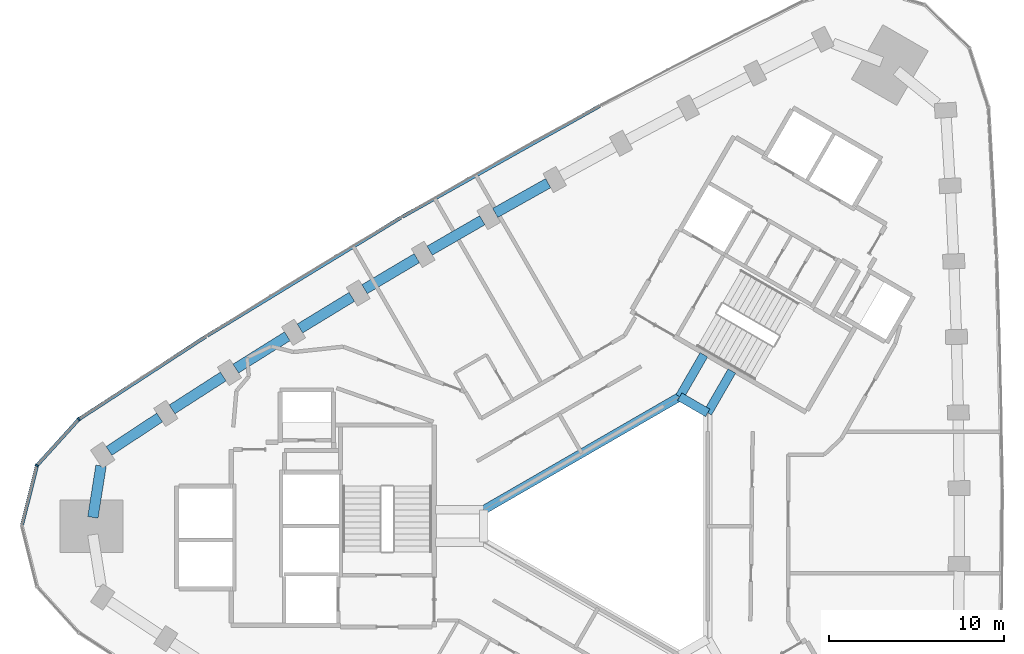
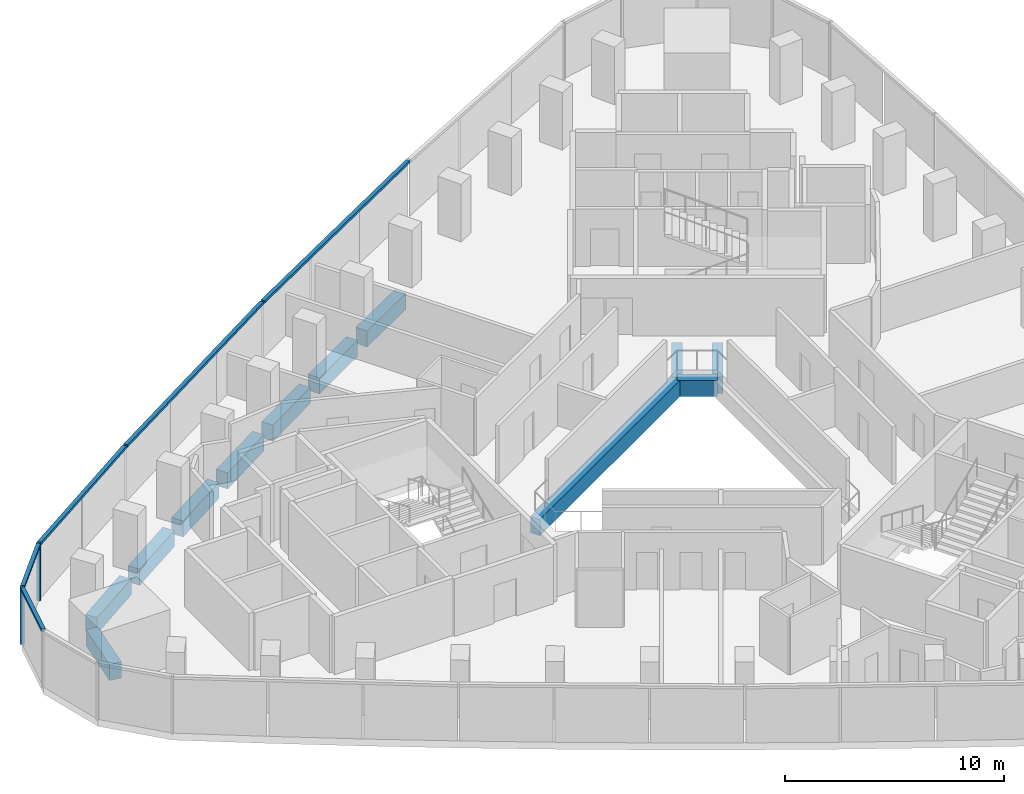
# One storey, part 4 of 12: 12 beams, 7 members, 1 element without a shape of its own.
"""IFC4 building model written with IfcOpenShell, lengths in metres."""

import ifcopenshell
import ifcopenshell.guid

model = None  # the IFC model being written
_history = None  # IfcOwnerHistory: only IFC2X3 demands one
_inside = {}  # id of a spatial element -> (the spatial element, [elements in it])
_under = {}  # id of a project, library or spatial element -> (it, [spatial elements below it])
_declared = {}  # id of a project -> (the project, [libraries it declares])
_typed = {}  # id of a type object -> (the type object, [elements of that type])
_made_of = {}  # id of a material, layer set ... -> (it, [elements and type objects made of it])


def new_model(schema):
    """Start an empty IFC model of exactly this schema.

    Asked for "IFC4X3", IfcOpenShell would pick the latest addendum, in which some entities
    have other attributes; the version numbers below select the first issue.
    IFC2X3 requires an IfcOwnerHistory on every rooted entity: one is made here for all.
    """
    global model, _history
    if schema == "IFC4X3":
        model = ifcopenshell.file(schema_version=(4, 3, 0, 0))
    else:
        model = ifcopenshell.file(schema=schema)
    _inside.clear()
    _under.clear()
    _declared.clear()
    _typed.clear()
    _made_of.clear()
    _history = None
    if model.schema == "IFC2X3":
        org = make("IfcOrganization", Name="unknown")
        user = make(
            "IfcPersonAndOrganization",
            ThePerson=make("IfcPerson", FamilyName="unknown"),
            TheOrganization=org,
        )
        app = make(
            "IfcApplication",
            ApplicationDeveloper=org,
            Version="unknown",
            ApplicationFullName="unknown",
            ApplicationIdentifier="unknown",
        )
        _history = make(
            "IfcOwnerHistory",
            OwningUser=user,
            OwningApplication=app,
            ChangeAction="ADDED",
            CreationDate=0,
        )
    return model


def make(cls, **values):
    """One entity of the class cls with the attributes given. An attribute that is None is left unset."""
    return model.create_entity(
        cls, **{name: value for name, value in values.items() if value is not None}
    )


def rooted(cls, **values):
    """An entity with a GlobalId (a new one), such as an element, a storey or a relation."""
    return make(cls, GlobalId=ifcopenshell.guid.new(), OwnerHistory=_history, **values)


def si_unit(unit_type, name, prefix=None):
    """IfcSIUnit, for example si_unit("LENGTHUNIT", "METRE", prefix="MILLI")."""
    return make("IfcSIUnit", UnitType=unit_type, Prefix=prefix, Name=name)


def assignment(units):
    """IfcUnitAssignment: the units of a project."""
    return None if units is None else make("IfcUnitAssignment", Units=units)


def point(xyz):
    """IfcCartesianPoint."""
    return None if xyz is None else make("IfcCartesianPoint", Coordinates=xyz)


def direction(xyz):
    """IfcDirection."""
    return None if xyz is None else make("IfcDirection", DirectionRatios=xyz)


def frame(location, z_axis=None, x_axis=None):
    """IfcAxis2Placement3D, a coordinate frame: its origin and axes. An axis left out is left unset."""
    return make(
        "IfcAxis2Placement3D",
        Location=point(location),
        Axis=direction(z_axis),
        RefDirection=direction(x_axis),
    )


def frame_2d(location, x_axis=None):
    """IfcAxis2Placement2D, a coordinate frame in the plane: its origin and x axis."""
    return make(
        "IfcAxis2Placement2D", Location=point(location), RefDirection=direction(x_axis)
    )


def origin():
    """The frame at (0, 0, 0) with its axes left unset."""
    return frame((0.0, 0.0, 0.0))


def origin_2d():
    """The frame at (0, 0) in the plane with its x axis left unset."""
    return frame_2d((0.0, 0.0))


def place(relative_to, where):
    """IfcLocalPlacement: puts the frame where relative to a parent placement (None: the world)."""
    return make(
        "IfcLocalPlacement", PlacementRelTo=relative_to, RelativePlacement=where
    )


def context(
    kind, dimensions, precision=None, world=None, true_north=None, identifier=None
):
    """IfcGeometricRepresentationContext, for example the 3D "Model" context."""
    return make(
        "IfcGeometricRepresentationContext",
        ContextIdentifier=identifier,
        ContextType=kind,
        CoordinateSpaceDimension=dimensions,
        Precision=precision,
        WorldCoordinateSystem=world,
        TrueNorth=true_north,
    )


def subcontext(parent, identifier, kind, view, scale=None):
    """IfcGeometricRepresentationSubContext, for example "Body" below "Model"."""
    return make(
        "IfcGeometricRepresentationSubContext",
        ContextIdentifier=identifier,
        ContextType=kind,
        ParentContext=parent,
        TargetScale=scale,
        TargetView=view,
    )


def project(units=None, contexts=None):
    """IfcProject with its units and contexts."""
    return rooted(
        "IfcProject",
        Name="project",
        RepresentationContexts=contexts,
        UnitsInContext=assignment(units),
    )


def spatial(cls, under=None, at=None, **own):
    """A site, building, storey or space (cls), placed at a placement, below another one or the project."""
    s = rooted(cls, ObjectPlacement=at, **own)
    if under is not None:
        _under.setdefault(under.id(), (under, []))[1].append(s)
    return s


def profile(cls, at=None, kind="AREA", **sizes):
    """A parametric profile (cls). Its sizes go by their IFC names, for example OverallWidth=200.0."""
    return make(cls, ProfileType=kind, Position=at, **sizes)


def rectangle(**sizes):
    """IfcRectangleProfileDef."""
    return profile("IfcRectangleProfileDef", **sizes)


def extrude(swept, where, along, depth):
    """IfcExtrudedAreaSolid: the profile swept, set in the frame where, extruded along a direction by depth."""
    return make(
        "IfcExtrudedAreaSolid",
        SweptArea=swept,
        Position=where,
        ExtrudedDirection=direction(along),
        Depth=depth,
    )


def shape(context_of_items, identifier, shape_type, items):
    """IfcShapeRepresentation: the items that make up one representation, for example the "Body"."""
    return make(
        "IfcShapeRepresentation",
        ContextOfItems=context_of_items,
        RepresentationIdentifier=identifier,
        RepresentationType=shape_type,
        Items=items,
    )


def material(Name=None, Category=None):
    """IfcMaterial."""
    return make("IfcMaterial", Name=Name, Category=Category)


def material_profile(
    of_material, cross_section, Name=None, Category=None, Priority=None
):
    """IfcMaterialProfile: a cross section and its material."""
    return make(
        "IfcMaterialProfile",
        Name=Name,
        Material=of_material,
        Profile=cross_section,
        Priority=Priority,
        Category=Category,
    )


def profile_set(profiles, Name=None, composite=None):
    """IfcMaterialProfileSet."""
    return make(
        "IfcMaterialProfileSet",
        Name=Name,
        MaterialProfiles=profiles,
        CompositeProfile=composite,
    )


def made_of(thing, what):
    """Note that an element or type object is made of a material, layer set ...; save() writes the relation."""
    if what is not None:
        _made_of.setdefault(what.id(), (what, []))[1].append(thing)
    return thing


def type_object(cls, material=None, **own):
    """A type object (cls), such as IfcWallType, which elements share."""
    return made_of(rooted(cls, **own), material)


def element(
    cls,
    number,
    at=None,
    inside=None,
    cuts=None,
    type_object=None,
    material=None,
    context=None,
    identifier="Body",
    shape_type=None,
    held_by="IfcProductDefinitionShape",
    body=None,
    shapes=None,
    **own,
):
    """One element of the class cls, such as IfcWall. Its Tag is "e" and its number.

    at: its placement. inside: the storey or other place that contains it. cuts: it is an
    opening in that element (IfcRelVoidsElement). A single representation is given by context,
    identifier, shape_type and body (its items); several are given by shapes. held_by: the class
    of the entity that holds the representations. save() writes the other relations.
    """
    e = rooted(cls, Tag="e%d" % number, ObjectPlacement=at, **own)
    if body is not None:
        shapes = [shape(context, identifier, shape_type, body)]
    if shapes is not None:
        e.Representation = make(held_by, Representations=shapes)
    if inside is not None:
        _inside.setdefault(inside.id(), (inside, []))[1].append(e)
    if cuts is not None:
        rooted(
            "IfcRelVoidsElement", RelatingBuildingElement=cuts, RelatedOpeningElement=e
        )
    if type_object is not None:
        _typed.setdefault(type_object.id(), (type_object, []))[1].append(e)
    return made_of(e, material)


def aggregate(whole, parts):
    """IfcRelAggregates: a whole, such as a stair, and the parts it consists of."""
    return rooted("IfcRelAggregates", RelatingObject=whole, RelatedObjects=parts)


def save(model, path):
    """Write the relations noted so far, then the file.

    IfcRelAggregates (storeys below a building ...), IfcRelContainedInSpatialStructure (elements
    in a storey), IfcRelDefinesByType, IfcRelAssociatesMaterial and IfcRelDeclares: one each for
    every whole, place, type object, material and project.
    """
    for whole, parts in _under.values():
        aggregate(whole, parts)
    for where, things in _inside.values():
        rooted(
            "IfcRelContainedInSpatialStructure",
            RelatedElements=things,
            RelatingStructure=where,
        )
    for kind, things in _typed.values():
        rooted("IfcRelDefinesByType", RelatedObjects=things, RelatingType=kind)
    for what, things in _made_of.values():
        rooted("IfcRelAssociatesMaterial", RelatedObjects=things, RelatingMaterial=what)
    for by, libraries in _declared.values():
        rooted("IfcRelDeclares", RelatingContext=by, RelatedDefinitions=libraries)
    model.write(path)


model = new_model("IFC4")

# Units and contexts
model_context = context("Model", 3, precision=1e-05, world=origin(), true_north=direction((0.0, 1.0)))
body_context = subcontext(model_context, "Body", "Model", "MODEL_VIEW")
ifc_project = project(units=[si_unit("LENGTHUNIT", "METRE"), si_unit("AREAUNIT", "SQUARE_METRE"), si_unit("VOLUMEUNIT", "CUBIC_METRE"), si_unit("PLANEANGLEUNIT", "RADIAN"), si_unit("MASSUNIT", "GRAM", prefix="KILO")], contexts=[model_context])

# Site, building, storey
site_placement = place(None, origin())
site = spatial("IfcSite", under=ifc_project, at=site_placement, CompositionType="ELEMENT")
building_placement = place(site_placement, origin())
building = spatial("IfcBuilding", under=site, at=building_placement, Name="Tamra Quay Hotel Tower", CompositionType="ELEMENT")
storey_placement = place(building_placement, frame((0.0, 0.0, 143.199951171875)))
storey = spatial("IfcBuildingStorey", under=building, at=storey_placement, Name="L35", CompositionType="ELEMENT", Elevation=143.199951171875)

# Beams
ifc_material_1 = material(Name="Concrete M60", Category="concrete")
ifc_material_profile_1 = material_profile(ifc_material_1, rectangle(XDim=0.5, YDim=0.89990234375, at=origin_2d()), Name="ATRIUM EDGE BEAM RC 500x900")
ifc_profile_set_1 = profile_set([ifc_material_profile_1], Name="Concrete M60")
beam_type_1 = type_object("IfcBeamType", Name="ATRIUM EDGE BEAM RC 500x900", PredefinedType="BEAM", material=ifc_profile_set_1)
beam_1_placement = place(storey_placement, frame((-8.0, 0.923828125, -0.849853515625), z_axis=(0.866024942741, 0.500000798549, 0.0), x_axis=(-0.500000798549, 0.866024942741, 0.0)))
element("IfcBeam", 1, at=beam_1_placement, inside=storey, type_object=beam_type_1, Name="BM-AB4-L35", PredefinedType="BEAM", context=body_context, shape_type="SweptSolid", body=[
    extrude(rectangle(XDim=0.5, YDim=0.89990234375, at=origin_2d()), origin(), (0.0, 0.0, 1.0), 12.9326171875),
])
beam_2_placement = place(storey_placement, frame((3.199951171875, 7.39013671875, -0.849853515625), z_axis=(0.86602275259, -0.500004591975, 0.0), x_axis=(0.500004591975, 0.86602275259, 0.0)))
element("IfcBeam", 2, at=beam_2_placement, inside=storey, type_object=beam_type_1, Name="BM-AB5-L35", PredefinedType="BEAM", context=body_context, shape_type="SweptSolid", body=[
    extrude(rectangle(XDim=0.5, YDim=0.89990234375, at=origin_2d()), origin(), (0.0, 0.0, 1.0), 1.84765625),
])
ifc_material_profile_2 = material_profile(ifc_material_1, rectangle(XDim=0.5, YDim=0.89990234375, at=origin_2d()), Name="ATRIUM TIE BEAM RC 500x900")
ifc_profile_set_2 = profile_set([ifc_material_profile_2], Name="Concrete M60")
beam_type_2 = type_object("IfcBeamType", Name="ATRIUM TIE BEAM RC 500x900", PredefinedType="BEAM", material=ifc_profile_set_2)
for number, where, z_axis, x_axis, name in (
    (3, (4.800048828125, 6.46630859375, -0.849853515625), (0.500008091576, 0.86602073206, 0.0), (-0.86602073206, 0.500008091576, 0.0), "BM-TIE-0-L35"),
    (4, (3.199951171875, 7.39013671875, -0.849853515625), (0.500008091576, 0.86602073206, 0.0), (-0.86602073206, 0.500008091576, 0.0), "BM-TIE-5-L35"),
):
    element("IfcBeam", number, at=place(storey_placement, frame(where, z_axis=z_axis, x_axis=x_axis)), inside=storey, type_object=beam_type_2, Name=name, PredefinedType="BEAM", context=body_context, shape_type="SweptSolid", body=[
        extrude(rectangle(XDim=0.5, YDim=0.89990234375, at=origin_2d()), origin(), (0.0, 0.0, 1.0), 2.76220703125),
    ])

# Curtain wall, members
ifc_material_2 = material(Name="Aluminium 6063 anodised dark grey", Category="aluminium")
curtain_wall_type = type_object("IfcCurtainWallType", Name="CW2 CURTAIN WALL", PredefinedType="NOTDEFINED", material=ifc_material_2)
curtain_wall_placement = place(storey_placement, origin())
curtain_wall = element("IfcCurtainWall", 5, at=curtain_wall_placement, inside=storey, type_object=curtain_wall_type, Name="CW2 north-west face L35", PredefinedType="NOTDEFINED")
ifc_material_profile_3 = material_profile(ifc_material_2, rectangle(XDim=0.199951171875, YDim=0.10009765625, at=origin_2d()), Name="MULLION 100X200")
ifc_profile_set_3 = profile_set([ifc_material_profile_3], Name="Aluminium 6063 anodised dark grey")
member_type_1 = type_object("IfcMemberType", Name="MULLION CW2 Z3", PredefinedType="MULLION", material=ifc_profile_set_3)
member_1_placement = place(storey_placement, frame((-31.139892578125, 6.099365234375, 0.0), z_axis=(0.0, 0.0, 1.0), x_axis=(-0.650989203966, 0.759086988638, 0.0)))
member_1 = element("IfcMember", 6, at=member_1_placement, type_object=member_type_1, Name="CW2 mullion L35.NW.12", PredefinedType="MULLION", context=body_context, shape_type="SweptSolid", body=[
    extrude(rectangle(XDim=0.199951171875, YDim=0.10009765625, at=origin_2d()), origin(), (0.0, 0.0, 1.0), 3.199951171875),
])
member_2_placement = place(storey_placement, frame((-33.533935546875, 3.4580078125, 0.0), z_axis=(0.0, 0.0, 1.0), x_axis=(-0.881925145425, 0.47138947577, 0.0)))
member_2 = element("IfcMember", 7, at=member_2_placement, type_object=member_type_1, Name="CW2 mullion L35.NW.13", PredefinedType="MULLION", context=body_context, shape_type="SweptSolid", body=[
    extrude(rectangle(XDim=0.199951171875, YDim=0.10009765625, at=origin_2d()), origin(), (0.0, 0.0, 1.0), 3.199951171875),
])

# Beams
ifc_material_profile_4 = material_profile(ifc_material_1, rectangle(XDim=0.60009765625, YDim=0.89990234375, at=origin_2d()), Name="SPANDREL BEAM RC 600x900")
ifc_profile_set_4 = profile_set([ifc_material_profile_4], Name="Concrete M60")
beam_type_3 = type_object("IfcBeamType", Name="SPANDREL BEAM RC 600x900", PredefinedType="SPANDREL", material=ifc_profile_set_4)
beam_3_placement = place(storey_placement, frame((-4.315185546875, 19.59130859375, -0.849853515625), z_axis=(-0.871956406858, -0.489583521516, 0.0), x_axis=(0.489583521516, -0.871956406858, 0.0)))
element("IfcBeam", 8, at=beam_3_placement, inside=storey, type_object=beam_type_3, Name="BM-SP3-017-L35", PredefinedType="SPANDREL", context=body_context, shape_type="SweptSolid", body=[
    extrude(rectangle(XDim=0.60009765625, YDim=0.89990234375, at=origin_2d()), origin(), (0.0, 0.0, 1.0), 3.47265625),
])
beam_4_placement = place(storey_placement, frame((-8.081787109375, 17.470458984375, -0.849853515625), z_axis=(-0.866032201241, -0.499988226275, 0.0), x_axis=(0.499988226275, -0.866032201241, 0.0)))
element("IfcBeam", 9, at=beam_4_placement, inside=storey, type_object=beam_type_3, Name="BM-SP3-018-L35", PredefinedType="SPANDREL", context=body_context, shape_type="SweptSolid", body=[
    extrude(rectangle(XDim=0.60009765625, YDim=0.89990234375, at=origin_2d()), origin(), (0.0, 0.0, 1.0), 3.47216796875),
])
beam_5_placement = place(storey_placement, frame((-11.822509765625, 15.304931640625, -0.849853515625), z_axis=(-0.859988767784, -0.510312962098, 0.0), x_axis=(0.510312962098, -0.859988767784, 0.0)))
element("IfcBeam", 10, at=beam_5_placement, inside=storey, type_object=beam_type_3, Name="BM-SP3-019-L35", PredefinedType="SPANDREL", context=body_context, shape_type="SweptSolid", body=[
    extrude(rectangle(XDim=0.60009765625, YDim=0.89990234375, at=origin_2d()), origin(), (0.0, 0.0, 1.0), 3.472900390625),
])
for number, where, z_axis, x_axis, name in (
    (11, (-15.53759765625, 13.094482421875, -0.849853515625), (-0.853835813207, -0.520542413339, 0.0), (0.520542413339, -0.853835813207, 0.0), "BM-SP3-020-L35"),
    (12, (-19.225341796875, 10.840087890625, -0.849853515625), (-0.847547681474, -0.530719255, 0.0), (0.530719255, -0.847547681474, 0.0), "BM-SP3-021-L35"),
):
    element("IfcBeam", number, at=place(storey_placement, frame(where, z_axis=z_axis, x_axis=x_axis)), inside=storey, type_object=beam_type_3, Name=name, PredefinedType="SPANDREL", context=body_context, shape_type="SweptSolid", body=[
        extrude(rectangle(XDim=0.60009765625, YDim=0.89990234375, at=origin_2d()), origin(), (0.0, 0.0, 1.0), 3.47216796875),
    ])
beam_6_placement = place(storey_placement, frame((-22.885986328125, 8.5419921875, -0.849853515625), z_axis=(-0.84116020305, -0.540786013878, 0.0), x_axis=(0.540786013878, -0.84116020305, 0.0)))
element("IfcBeam", 13, at=beam_6_placement, inside=storey, type_object=beam_type_3, Name="BM-SP3-022-L35", PredefinedType="SPANDREL", context=body_context, shape_type="SweptSolid", body=[
    extrude(rectangle(XDim=0.60009765625, YDim=0.89990234375, at=origin_2d()), origin(), (0.0, 0.0, 1.0), 3.47314453125),
])
beam_7_placement = place(storey_placement, frame((-26.51953125, 6.199951171875, -0.849853515625), z_axis=(-0.834690851507, -0.55071878705, 0.0), x_axis=(0.55071878705, -0.834690851507, 0.0)))
element("IfcBeam", 14, at=beam_7_placement, inside=storey, type_object=beam_type_3, Name="BM-SP3-023-L35", PredefinedType="SPANDREL", context=body_context, shape_type="SweptSolid", body=[
    extrude(rectangle(XDim=0.60009765625, YDim=0.89990234375, at=origin_2d()), origin(), (0.0, 0.0, 1.0), 3.472412109375),
])
beam_8_placement = place(storey_placement, frame((-29.87060546875, 3.434814453125, -0.849853515625), z_axis=(-0.156337236308, -0.987703735208, 0.0), x_axis=(0.987703735208, -0.156337236308, 0.0)))
element("IfcBeam", 15, at=beam_8_placement, inside=storey, type_object=beam_type_3, Name="BM-SP3-024-L35", PredefinedType="SPANDREL", context=body_context, shape_type="SweptSolid", body=[
    extrude(rectangle(XDim=0.60009765625, YDim=0.89990234375, at=origin_2d()), origin(), (0.0, 0.0, 1.0), 2.97802734375),
])

# Member
ifc_material_profile_5 = material_profile(ifc_material_2, rectangle(XDim=0.199951171875, YDim=0.139892578125, at=origin_2d()), Name="TRANSOM 200X140")
ifc_profile_set_5 = profile_set([ifc_material_profile_5], Name="Aluminium 6063 anodised dark grey")
member_type_2 = type_object("IfcMemberType", Name="TRANSOM CW2 Z3", PredefinedType="USERDEFINED", material=ifc_profile_set_5)
member_3_placement = place(storey_placement, frame((-1.360595703125, 24.013671875, 3.130126953125), z_axis=(-0.871941163172, -0.489610669783, 0.0), x_axis=(0.489610669783, -0.871941163172, 0.0)))
member_3 = element("IfcMember", 16, at=member_3_placement, type_object=member_type_2, Name="CW2 transom L35.NW.4", ObjectType="TRANSOM", PredefinedType="USERDEFINED", context=body_context, shape_type="SweptSolid", body=[
    extrude(rectangle(XDim=0.199951171875, YDim=0.139892578125, at=origin_2d()), origin(), (0.0, 0.0, 1.0), 12.955810546875),
])

member_4_placement = place(storey_placement, frame((-12.743408203125, 17.619873046875, 3.130126953125), z_axis=(-0.853830086981, -0.520551805843, 0.0), x_axis=(0.520551805843, -0.853830086981, 0.0)))
member_4 = element("IfcMember", 17, at=member_4_placement, type_object=member_type_2, Name="CW2 transom L35.NW.7", ObjectType="TRANSOM", PredefinedType="USERDEFINED", context=body_context, shape_type="SweptSolid", body=[
    extrude(rectangle(XDim=0.199951171875, YDim=0.139892578125, at=origin_2d()), origin(), (0.0, 0.0, 1.0), 12.955810546875),
])

member_5_placement = place(storey_placement, frame((-23.889892578125, 10.822021484375, 3.130126953125), z_axis=(-0.837927757603, -0.545781158559, 0.0), x_axis=(0.545781158559, -0.837927757603, 0.0)))
member_5 = element("IfcMember", 18, at=member_5_placement, type_object=member_type_2, Name="CW2 transom L35.NW.10", ObjectType="TRANSOM", PredefinedType="USERDEFINED", context=body_context, shape_type="SweptSolid", body=[
    extrude(rectangle(XDim=0.199951171875, YDim=0.139892578125, at=origin_2d()), origin(), (0.0, 0.0, 1.0), 8.6025390625),
])

member_6_placement = place(storey_placement, frame((-31.17333984375, 6.0625, 3.130126953125), z_axis=(-0.671553275013, -0.740956273217, 0.0), x_axis=(0.740956273217, -0.671553275013, 0.0)))
member_6 = element("IfcMember", 19, at=member_6_placement, type_object=member_type_2, Name="CW2 transom L35.NW.12", ObjectType="TRANSOM", PredefinedType="USERDEFINED", context=body_context, shape_type="SweptSolid", body=[
    extrude(rectangle(XDim=0.199951171875, YDim=0.139892578125, at=origin_2d()), origin(), (0.0, 0.0, 1.0), 3.46484375),
])

member_7_placement = place(storey_placement, frame((-33.5458984375, 3.409423828125, 3.130126953125), z_axis=(-0.243032991535, -0.970018023042, 0.0), x_axis=(0.970018023042, -0.243032991535, 0.0)))
member_7 = element("IfcMember", 20, at=member_7_placement, type_object=member_type_2, Name="CW2 transom L35.NW.13", ObjectType="TRANSOM", PredefinedType="USERDEFINED", context=body_context, shape_type="SweptSolid", body=[
    extrude(rectangle(XDim=0.199951171875, YDim=0.139892578125, at=origin_2d()), origin(), (0.0, 0.0, 1.0), 3.464599609375),
])

aggregate(curtain_wall, [member_3, member_4, member_5, member_1, member_6, member_2, member_7])

save(model, "model.ifc")
